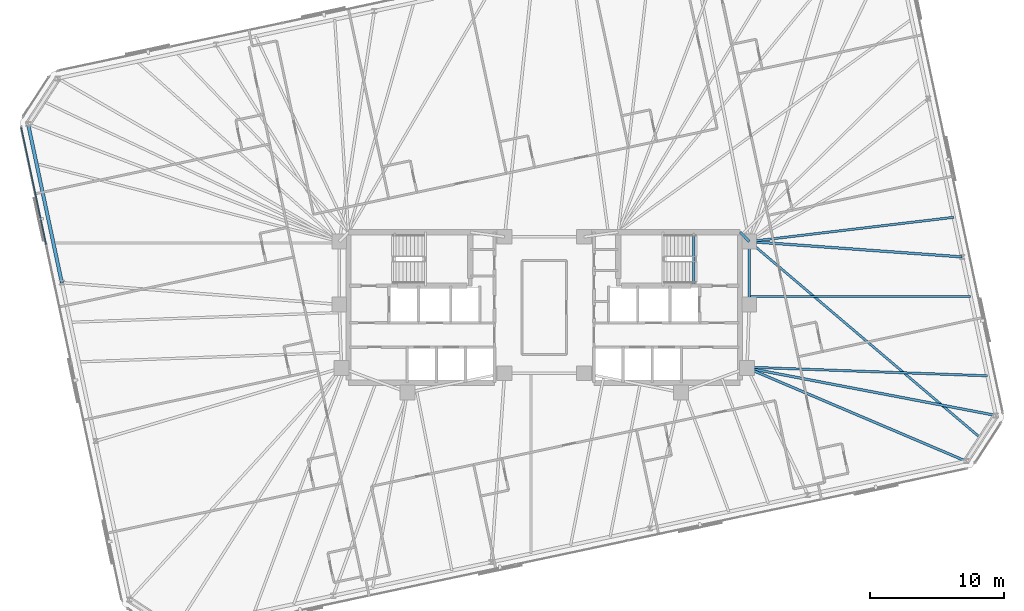
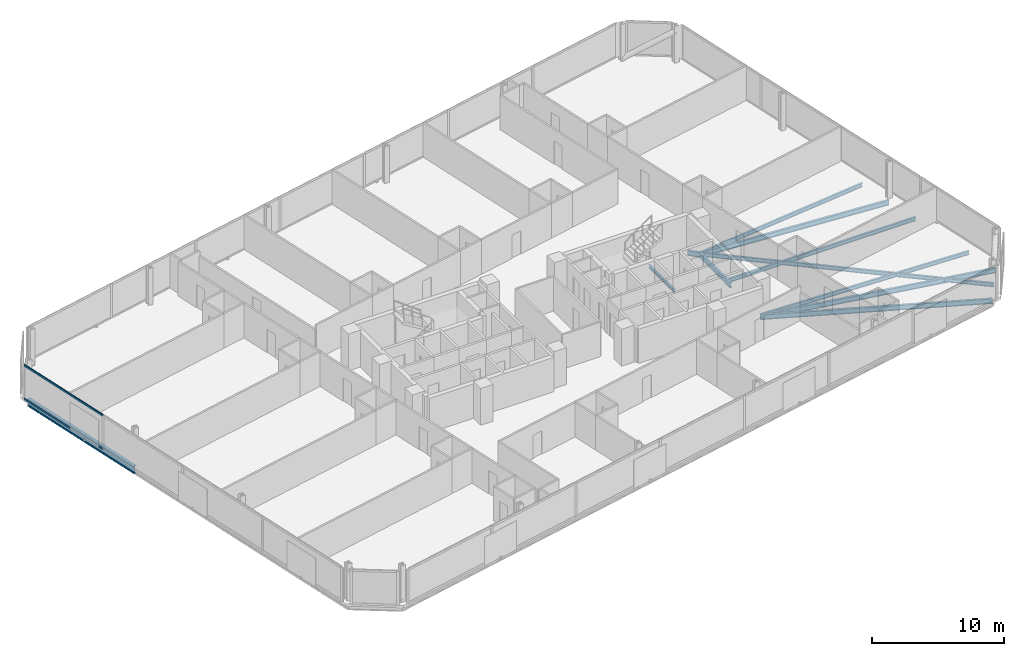
# One storey, part 8 of 19: 11 beams, 2 members, 1 element without a shape of its own.
"""IFC4 building model written with IfcOpenShell, lengths in metres."""

from ifc_helpers import new_model, si_unit, direction, frame, origin, origin_2d, place, context, subcontext, project, spatial, rectangle, i_section, extrude, material, material_profile, profile_set, type_object, element, aggregate, save


model = new_model("IFC4")

# Units and contexts
model_context = context("Model", 3, precision=1e-05, world=origin(), true_north=direction((0.0, 1.0)))
body_context = subcontext(model_context, "Body", "Model", "MODEL_VIEW")
ifc_project = project(units=[si_unit("LENGTHUNIT", "METRE"), si_unit("AREAUNIT", "SQUARE_METRE"), si_unit("VOLUMEUNIT", "CUBIC_METRE"), si_unit("PLANEANGLEUNIT", "RADIAN"), si_unit("MASSUNIT", "GRAM", prefix="KILO")], contexts=[model_context])

# Site, building, storey
site_placement = place(None, origin())
site = spatial("IfcSite", under=ifc_project, at=site_placement, CompositionType="ELEMENT")
building_placement = place(site_placement, origin())
building = spatial("IfcBuilding", under=site, at=building_placement, Name="Menara Jurai Vektor", CompositionType="ELEMENT")
storey_placement = place(building_placement, frame((0.0, 0.0, 161.60009765625)))
storey = spatial("IfcBuildingStorey", under=building, at=storey_placement, Name="L41", CompositionType="ELEMENT", Elevation=161.60009765625)

# Curtain wall, members
ifc_material_1 = material(Name="Anodised Pale Aluminium & Low-E Double Glazing", Category="aluminium")
curtain_wall_type = type_object("IfcCurtainWallType", Name="CW-BLK3", PredefinedType="NOTDEFINED", material=ifc_material_1)
curtain_wall_placement = place(storey_placement, origin())
curtain_wall = element("IfcCurtainWall", 1, at=curtain_wall_placement, inside=storey, type_object=curtain_wall_type, Name="Unitised Curtain Wall L41 F07", PredefinedType="NOTDEFINED")
ifc_material_2 = material(Name="Anodised Pale Aluminium Transom", Category="aluminium")
ifc_material_profile_1 = material_profile(ifc_material_2, rectangle(XDim=0.0849609375, YDim=0.175048828125, at=origin_2d()), Name="ALU TRN 85x175")
ifc_profile_set_1 = profile_set([ifc_material_profile_1], Name="Anodised Pale Aluminium Transom")
member_type = type_object("IfcMemberType", Name="CW-BLK3-TRN", PredefinedType="USERDEFINED", material=ifc_profile_set_1)
member_1_placement = place(storey_placement, frame((-38.896728515625, 13.378173828125, 0.04248046875), z_axis=(0.207899517354, -0.978150188204, 0.0), x_axis=(0.978150188204, 0.207899517354, 0.0)))
member_1 = element("IfcMember", 2, at=member_1_placement, type_object=member_type, Name="CW-03 transom 1.1", ObjectType="TRANSOM", PredefinedType="USERDEFINED", context=body_context, shape_type="SweptSolid", body=[
    extrude(rectangle(XDim=0.0849609375, YDim=0.175048828125, at=origin_2d()), origin(), (0.0, 0.0, 1.0), 8.882568359375),
])
member_2_placement = place(storey_placement, frame((-38.896728515625, 13.378173828125, 3.13232421875), z_axis=(0.207899517354, -0.978150188204, 0.0), x_axis=(0.978150188204, 0.207899517354, 0.0)))
member_2 = element("IfcMember", 3, at=member_2_placement, type_object=member_type, Name="CW-03 transom 1.2", ObjectType="TRANSOM", PredefinedType="USERDEFINED", context=body_context, shape_type="SweptSolid", body=[
    extrude(rectangle(XDim=0.0849609375, YDim=0.175048828125, at=origin_2d()), origin(), (0.0, 0.0, 1.0), 8.882568359375),
])
aggregate(curtain_wall, [member_1, member_2])

# Beams
ifc_material_3 = material(Name="Steel S355", Category="steel")
ifc_material_profile_2 = material_profile(ifc_material_3, i_section(OverallWidth=0.19091796875, OverallDepth=0.4599609375, WebThickness=0.010009765625, FlangeThickness=0.01611328125, FilletRadius=0.010009765625, at=origin_2d()), Name="UKB 457x191x82")
ifc_profile_set_2 = profile_set([ifc_material_profile_2], Name="Steel S355")
beam_type_1 = type_object("IfcBeamType", Name="STR-BM-457", PredefinedType="BEAM", material=ifc_profile_set_2)
beam_1_placement = place(storey_placement, frame((14.56005859375, 5.60009765625, -0.455078125), z_axis=(0.701871936926, -0.712303154672, 0.0), x_axis=(0.712303154672, 0.701871936926, 0.0)))
element("IfcBeam", 4, at=beam_1_placement, inside=storey, type_object=beam_type_1, Name="Core Ring Header Girder L41-CHE-N2", PredefinedType="BEAM", context=body_context, shape_type="SweptSolid", body=[
    extrude(i_section(OverallWidth=0.19091796875, OverallDepth=0.4599609375, WebThickness=0.010009765625, FlangeThickness=0.01611328125, FilletRadius=0.010009765625, at=origin_2d()), origin(), (0.0, 0.0, 1.0), 0.98291015625),
])
beam_2_placement = place(storey_placement, frame((15.25, 0.219970703125, -0.455078125), z_axis=(0.0, 1.0, 0.0), x_axis=(-1.0, 0.0, 0.0)))
element("IfcBeam", 5, at=beam_2_placement, inside=storey, type_object=beam_type_1, Name="Core Ring Header Girder L41-CHE-E1", PredefinedType="BEAM", context=body_context, shape_type="SweptSolid", body=[
    extrude(i_section(OverallWidth=0.19091796875, OverallDepth=0.4599609375, WebThickness=0.010009765625, FlangeThickness=0.01611328125, FilletRadius=0.010009765625, at=origin_2d()), origin(), (0.0, 0.0, 1.0), 4.679931640625),
])
beam_3_placement = place(storey_placement, frame((31.376220703125, -11.438720703125, -0.455078125), z_axis=(-0.920069342045, 0.391755543458, 0.0), x_axis=(-0.391755543458, -0.920069342045, 0.0)))
element("IfcBeam", 6, at=beam_3_placement, inside=storey, type_object=beam_type_1, Name="Radial Floor Girder L41-S6", PredefinedType="BEAM", context=body_context, shape_type="SweptSolid", body=[
    extrude(i_section(OverallWidth=0.19091796875, OverallDepth=0.4599609375, WebThickness=0.010009765625, FlangeThickness=0.01611328125, FilletRadius=0.010009765625, at=origin_2d()), origin(), (0.0, 0.0, 1.0), 17.7119140625),
])
beam_4_placement = place(storey_placement, frame((33.588623046875, -8.031982421875, -0.455078125), z_axis=(-0.982274660407, 0.187447303322, 0.0), x_axis=(-0.187447303322, -0.982274660407, 0.0)))
element("IfcBeam", 7, at=beam_4_placement, inside=storey, type_object=beam_type_1, Name="Radial Floor Girder L41-E1", PredefinedType="BEAM", context=body_context, shape_type="SweptSolid", body=[
    extrude(i_section(OverallWidth=0.19091796875, OverallDepth=0.4599609375, WebThickness=0.010009765625, FlangeThickness=0.01611328125, FilletRadius=0.010009765625, at=origin_2d()), origin(), (0.0, 0.0, 1.0), 18.842529296875),
])
beam_5_placement = place(storey_placement, frame((31.082763671875, 3.75634765625, -0.455078125), z_axis=(-0.997401783921, 0.072039443584, 0.0), x_axis=(-0.072039443584, -0.997401783921, 0.0)))
element("IfcBeam", 8, at=beam_5_placement, inside=storey, type_object=beam_type_1, Name="Radial Floor Girder L41-E2", PredefinedType="BEAM", context=body_context, shape_type="SweptSolid", body=[
    extrude(i_section(OverallWidth=0.19091796875, OverallDepth=0.4599609375, WebThickness=0.010009765625, FlangeThickness=0.01611328125, FilletRadius=0.010009765625, at=origin_2d()), origin(), (0.0, 0.0, 1.0), 15.8740234375),
])
ifc_material_profile_3 = material_profile(ifc_material_3, i_section(OverallWidth=0.172119140625, OverallDepth=0.35498046875, WebThickness=0.007080078125, FlangeThickness=0.011962890625, FilletRadius=0.010009765625, at=origin_2d()), Name="UKB 356x171x51")
ifc_profile_set_3 = profile_set([ifc_material_profile_3], Name="Steel S355")
beam_type_2 = type_object("IfcBeamType", Name="STR-JS-356", PredefinedType="JOIST", material=ifc_profile_set_3)
beam_6_placement = place(storey_placement, frame((32.482421875, -9.7353515625, -0.402587890625), z_axis=(-0.762207822165, 0.6473323998, 0.0), x_axis=(-0.6473323998, -0.762207822165, 0.0)))
element("IfcBeam", 9, at=beam_6_placement, inside=storey, type_object=beam_type_2, Name="Radial Secondary Floor Joist L41-JS10", PredefinedType="JOIST", context=body_context, shape_type="SweptSolid", body=[
    extrude(i_section(OverallWidth=0.172119140625, OverallDepth=0.35498046875, WebThickness=0.007080078125, FlangeThickness=0.011962890625, FilletRadius=0.010009765625, at=origin_2d()), origin(), (0.0, 0.0, 1.0), 22.608642578125),
])
beam_7_placement = place(storey_placement, frame((32.962158203125, -5.0849609375, -0.402587890625), z_axis=(-0.999351908775, 0.035996700238, 0.0), x_axis=(-0.035996700238, -0.999351908775, 0.0)))
element("IfcBeam", 10, at=beam_7_placement, inside=storey, type_object=beam_type_2, Name="Radial Secondary Floor Joist L41-JS11", PredefinedType="JOIST", context=body_context, shape_type="SweptSolid", body=[
    extrude(i_section(OverallWidth=0.172119140625, OverallDepth=0.35498046875, WebThickness=0.007080078125, FlangeThickness=0.011962890625, FilletRadius=0.010009765625, at=origin_2d()), origin(), (0.0, 0.0, 1.0), 17.8916015625),
])
beam_8_placement = place(storey_placement, frame((31.709228515625, 0.809326171875, -0.402587890625), z_axis=(-1.0, 0.0, 0.0), x_axis=(0.0, -1.0, 0.0)))
element("IfcBeam", 11, at=beam_8_placement, inside=storey, type_object=beam_type_2, Name="Radial Secondary Floor Joist L41-JS12", PredefinedType="JOIST", context=body_context, shape_type="SweptSolid", body=[
    extrude(i_section(OverallWidth=0.172119140625, OverallDepth=0.35498046875, WebThickness=0.007080078125, FlangeThickness=0.011962890625, FilletRadius=0.010009765625, at=origin_2d()), origin(), (0.0, 0.0, 1.0), 16.459228515625),
])
beam_9_placement = place(storey_placement, frame((30.456298828125, 6.70361328125, -0.402587890625), z_axis=(-0.993038492178, -0.11779029269, 0.0), x_axis=(0.11779029269, -0.993038492178, 0.0)))
element("IfcBeam", 12, at=beam_9_placement, inside=storey, type_object=beam_type_2, Name="Radial Secondary Floor Joist L41-JS13", PredefinedType="JOIST", context=body_context, shape_type="SweptSolid", body=[
    extrude(i_section(OverallWidth=0.172119140625, OverallDepth=0.35498046875, WebThickness=0.007080078125, FlangeThickness=0.011962890625, FilletRadius=0.010009765625, at=origin_2d()), origin(), (0.0, 0.0, 1.0), 15.31298828125),
])
ifc_material_profile_4 = material_profile(ifc_material_3, i_section(OverallWidth=0.1650390625, OverallDepth=0.302978515625, WebThickness=0.006103515625, FlangeThickness=0.010009765625, FilletRadius=0.009033203125, at=origin_2d()), Name="UKB 305x165x40")
ifc_profile_set_4 = profile_set([ifc_material_profile_4], Name="Steel S355")
beam_type_3 = type_object("IfcBeamType", Name="STR-LN-305", PredefinedType="LINTEL", material=ifc_profile_set_4)
beam_10_placement = place(storey_placement, frame((11.1201171875, 1.60009765625, -0.376708984375), z_axis=(0.0, 1.0, 0.0), x_axis=(-1.0, 0.0, 0.0)))
element("IfcBeam", 13, at=beam_10_placement, inside=storey, type_object=beam_type_3, Name="Stair Well Floor Trimmer ST2 L41", PredefinedType="LINTEL", context=body_context, shape_type="SweptSolid", body=[
    extrude(i_section(OverallWidth=0.1650390625, OverallDepth=0.302978515625, WebThickness=0.006103515625, FlangeThickness=0.010009765625, FilletRadius=0.009033203125, at=origin_2d()), origin(), (0.0, 0.0, 1.0), 3.81982421875),
])
ifc_material_4 = material(Name="Steel S460", Category="steel")
ifc_material_profile_5 = material_profile(ifc_material_4, i_section(OverallWidth=0.256103515625, OverallDepth=0.693115234375, WebThickness=0.013916015625, FlangeThickness=0.02392578125, FilletRadius=0.014892578125, at=origin_2d()), Name="UKB 686x254x170")
ifc_profile_set_5 = profile_set([ifc_material_profile_5], Name="Steel S460")
beam_type_4 = type_object("IfcBeamType", Name="STR-SP-686", PredefinedType="SPANDREL", material=ifc_profile_set_5)
beam_11_placement = place(storey_placement, frame((-38.388671875, 13.632080078125, -0.571533203125), z_axis=(0.207921262698, -0.978145566119, 0.0), x_axis=(0.978145566119, 0.207921262698, 0.0)))
element("IfcBeam", 14, at=beam_11_placement, inside=storey, type_object=beam_type_4, Name="Exoskeleton Spandrel Beam L41-17", PredefinedType="SPANDREL", context=body_context, shape_type="SweptSolid", body=[
    extrude(i_section(OverallWidth=0.256103515625, OverallDepth=0.693115234375, WebThickness=0.013916015625, FlangeThickness=0.02392578125, FilletRadius=0.014892578125, at=origin_2d()), origin(), (0.0, 0.0, 1.0), 12.052001953125),
])

save(model, "model.ifc")
